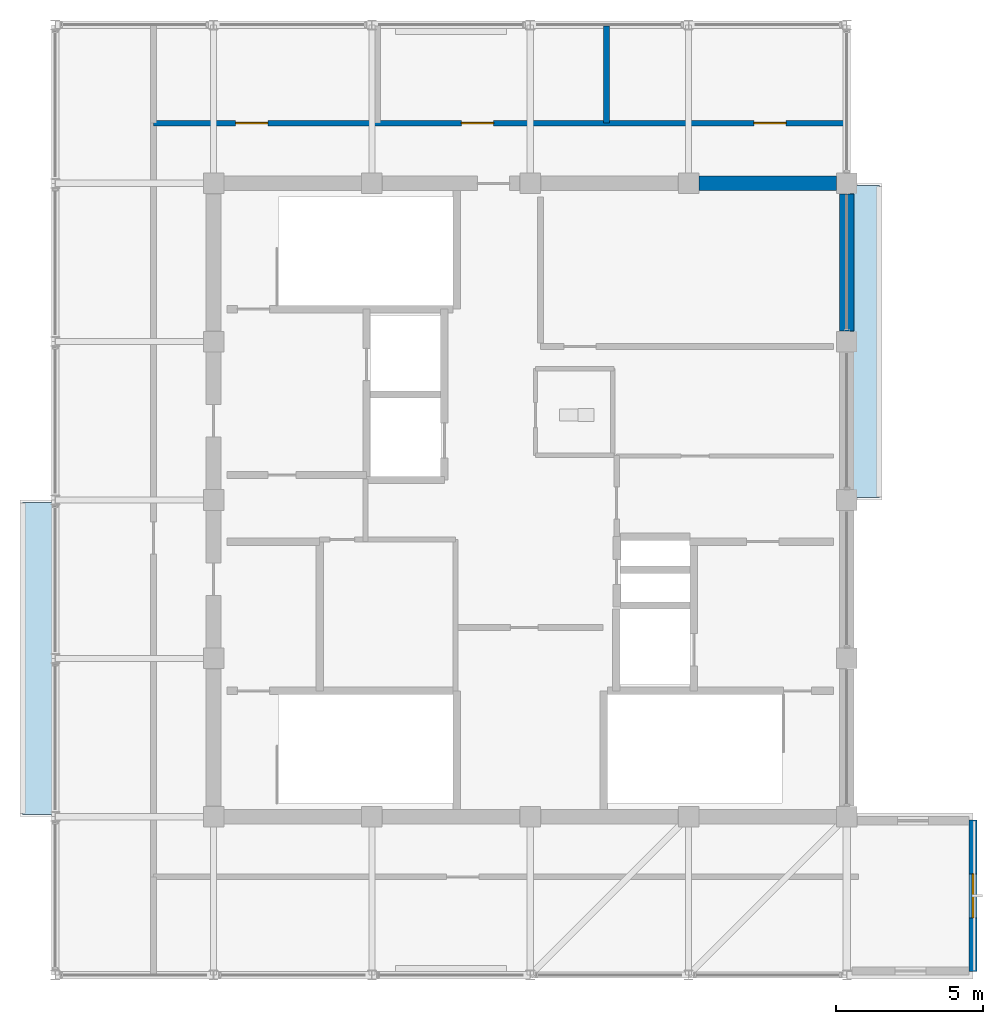
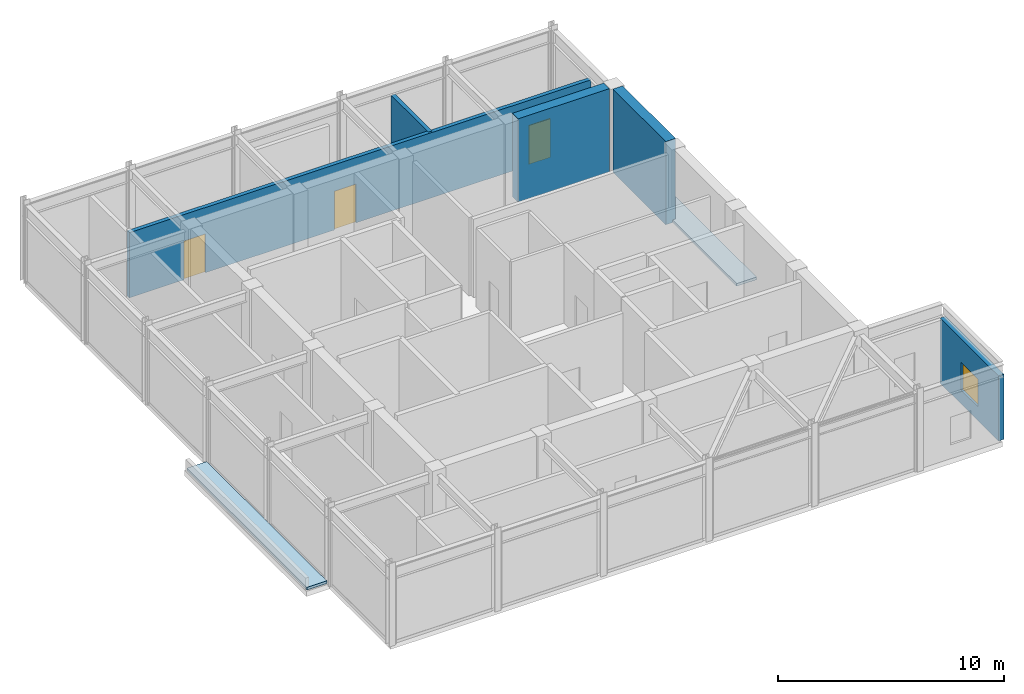
# One storey, part 16 of 18: 5 walls, 3 doors, 2 roofs, 1 window, 4 openings.
"""IFC4 building model written with IfcOpenShell, lengths in metres."""

from ifc_helpers import new_model, si_unit, direction, frame, frame_2d, origin, place, context, subcontext, project, spatial, polyline, rectangle, outline, extrude, material, layer, layer_set, type_object, element, fill, save


model = new_model("IFC4")

# Units and contexts
model_context = context("Model", 3, precision=1e-05, world=origin(), true_north=direction((0.0, 1.0)))
body_context = subcontext(model_context, "Body", "Model", "MODEL_VIEW")
ifc_project = project(units=[si_unit("LENGTHUNIT", "METRE"), si_unit("AREAUNIT", "SQUARE_METRE"), si_unit("VOLUMEUNIT", "CUBIC_METRE"), si_unit("PLANEANGLEUNIT", "RADIAN"), si_unit("MASSUNIT", "GRAM", prefix="KILO")], contexts=[model_context])

# Site, building, storey
site_placement = place(None, origin())
site = spatial("IfcSite", under=ifc_project, at=site_placement, CompositionType="ELEMENT")
building_placement = place(site_placement, origin())
building = spatial("IfcBuilding", under=site, at=building_placement, Name="Surkhivell Harbour Commons", CompositionType="ELEMENT")
storey_placement = place(building_placement, frame((0.0, 0.0, 360.0)))
storey = spatial("IfcBuildingStorey", under=building, at=storey_placement, Name="L93", CompositionType="ELEMENT", Elevation=360.0)

# Walls
ifc_material_1 = material(Name="Concrete C50/60", Category="concrete")
ifc_layer_1 = layer(ifc_material_1, 0.5)
ifc_layer_set_1 = layer_set([ifc_layer_1], Name="Concrete C50/60")
wall_type_1 = type_object("IfcWallType", Name="WAL-CORE-500", PredefinedType="SHEAR", material=ifc_layer_set_1)
for number, where, z_axis, x_axis, name in (
    (1, (5.760009765625, 10.800048828125, 0.0), (0.0, 0.0, 1.0), (1.0, 0.0, 0.0), "L93 Core Shear Wall North 4"),
    (2, (10.800048828125, 5.760009765625, 0.0), (0.0, 0.0, 1.0), (0.0, 1.0, 0.0), "L93 Core Shear Wall East 4"),
):
    element("IfcWall", number, at=place(storey_placement, frame(where, z_axis=z_axis, x_axis=x_axis)), inside=storey, type_object=wall_type_1, Name=name, PredefinedType="SHEAR", context=body_context, shape_type="SweptSolid", body=[
        extrude(rectangle(XDim=4.679931640625, YDim=0.5, at=frame_2d((2.33984375, 0.0))), origin(), (0.0, 0.0, 1.0), 4.5),
    ])

# Wall, opening, window
ifc_material_2 = material(Name="Terracotta-clad reinforced concrete C45/55", Category="masonry")
ifc_layer_2 = layer(ifc_material_2, 0.280029296875)
ifc_layer_set_2 = layer_set([ifc_layer_2], Name="Terracotta-clad reinforced concrete C45/55")
wall_type_2 = type_object("IfcWallType", Name="WAL-EXT-TER280", PredefinedType="STANDARD", material=ifc_layer_set_2)
wall_1_placement = place(storey_placement, frame((15.10009765625, -16.080078125, 0.0), z_axis=(0.0, 0.0, 1.0), x_axis=(0.0, 1.0, 0.0)))
wall_1 = element("IfcWall", 3, at=wall_1_placement, inside=storey, type_object=wall_type_2, Name="L93 Coloured Box Front Wall 01", PredefinedType="STANDARD", context=body_context, shape_type="SweptSolid", body=[
    extrude(rectangle(XDim=5.16015625, YDim=0.280029296875, at=frame_2d((2.580078125, 0.0))), origin(), (0.0, 0.0, 1.0), 3.527099609375),
])
opening_1_placement = place(wall_1_placement, frame((1.830078125, 0.0, 0.75)))
opening_1 = element("IfcOpeningElement", 4, at=opening_1_placement, cuts=wall_1, Name="Opening WN-13", PredefinedType="OPENING", context=body_context, shape_type="SweptSolid", body=[
    extrude(rectangle(XDim=1.5, YDim=1.5, at=frame_2d((0.75, 0.75))), frame((0.0, 0.14990234375, 0.0), z_axis=(0.0, -1.0, 0.0), x_axis=(1.0, 0.0, 0.0)), (0.0, 0.0, 1.0), 0.300048828125),
])
ifc_material_3 = material(Name="Thermal-break aluminium frame and double low-E glazing", Category="aluminium")
window_type = type_object("IfcWindowType", Name="WIN-BOX-1500x1500", PartitioningType="SINGLE_PANEL", PredefinedType="WINDOW", material=ifc_material_3)
window_placement = place(opening_1_placement, origin())
window = element("IfcWindow", 5, at=window_placement, inside=storey, type_object=window_type, Name="L93 Coloured Box Square Window 01-1", OverallHeight=1.5, OverallWidth=1.5, PartitioningType="SINGLE_PANEL", PredefinedType="WINDOW", context=body_context, shape_type="SweptSolid", body=[
    extrude(rectangle(XDim=1.5, YDim=1.5, at=frame_2d((0.75, 0.75))), frame((0.0, 0.030029296875, 0.0), z_axis=(0.0, -1.0, 0.0), x_axis=(1.0, 0.0, 0.0)), (0.0, 0.0, 1.0), 0.06005859375),
])
fill(opening_1, window)

# Wall
ifc_material_4 = material(Name="Autoclaved aerated concrete blockwork and fire plaster", Category="masonry")
ifc_layer_3 = layer(ifc_material_4, 0.199951171875)
ifc_layer_set_3 = layer_set([ifc_layer_3], Name="Autoclaved aerated concrete blockwork and fire plaster")
wall_type_3 = type_object("IfcWallType", Name="WAL-INT-200", PredefinedType="PARTITIONING", material=ifc_layer_set_3)
wall_2_placement = place(storey_placement, frame((2.60009765625, 12.85009765625, 0.0), z_axis=(0.0, 0.0, 1.0), x_axis=(0.0, 1.0, 0.0)))
element("IfcWall", 6, at=wall_2_placement, inside=storey, type_object=wall_type_3, Name="L93 Cooling Bay Wall 2", PredefinedType="PARTITIONING", context=body_context, shape_type="SweptSolid", body=[
    extrude(rectangle(XDim=3.309814453125, YDim=0.199951171875, at=frame_2d((1.65478515625, 0.0))), origin(), (0.0, 0.0, 1.0), 3.527099609375),
])

# Wall, openings, doors
wall_3_placement = place(storey_placement, frame((-12.85009765625, 12.85009765625, 0.0), z_axis=(0.0, 0.0, 1.0), x_axis=(1.0, 0.0, 0.0)))
wall_3 = element("IfcWall", 7, at=wall_3_placement, inside=storey, type_object=wall_type_3, Name="L93 Crown Corridor North Wall", PredefinedType="PARTITIONING", context=body_context, shape_type="SweptSolid", body=[
    extrude(rectangle(XDim=23.610107421875, YDim=0.199951171875, at=frame_2d((11.80517578125, 0.0))), origin(), (0.0, 0.0, 1.0), 3.527099609375),
])
opening_2_placement = place(wall_3_placement, frame((2.800048828125, 0.0, 0.0)))
opening_2 = element("IfcOpeningElement", 8, at=opening_2_placement, cuts=wall_3, Name="Opening ID-2", PredefinedType="OPENING", context=body_context, shape_type="SweptSolid", body=[
    extrude(rectangle(XDim=1.10009765625, YDim=2.10009765625, at=frame_2d((0.550048828125, 1.050048828125))), frame((0.0, 0.10986328125, 0.0), z_axis=(0.0, -1.0, 0.0), x_axis=(1.0, 0.0, 0.0)), (0.0, 0.0, 1.0), 0.219970703125),
])
opening_3_placement = place(wall_3_placement, frame((10.5, 0.0, 0.0)))
opening_3 = element("IfcOpeningElement", 9, at=opening_3_placement, cuts=wall_3, Name="Opening ID-2", PredefinedType="OPENING", context=body_context, shape_type="SweptSolid", body=[
    extrude(rectangle(XDim=1.10009765625, YDim=2.10009765625, at=frame_2d((0.550048828125, 1.050048828125))), frame((0.0, 0.10986328125, 0.0), z_axis=(0.0, -1.0, 0.0), x_axis=(1.0, 0.0, 0.0)), (0.0, 0.0, 1.0), 0.219970703125),
])
opening_4_placement = place(wall_3_placement, frame((20.4814453125, 0.0, 0.0)))
opening_4 = element("IfcOpeningElement", 10, at=opening_4_placement, cuts=wall_3, Name="Opening ID-2", PredefinedType="OPENING", context=body_context, shape_type="SweptSolid", body=[
    extrude(rectangle(XDim=1.10009765625, YDim=2.10009765625, at=frame_2d((0.550048828125, 1.050048828125))), frame((0.0, 0.10986328125, 0.0), z_axis=(0.0, -1.0, 0.0), x_axis=(1.0, 0.0, 0.0)), (0.0, 0.0, 1.0), 0.219970703125),
])
ifc_material_5 = material(Name="Hardwood-veneered fire-rated door leaf", Category="wood")
door_type = type_object("IfcDoorType", Name="DOR-FD60-1100", OperationType="NOTDEFINED", PredefinedType="DOOR", material=ifc_material_5)
door_1_placement = place(opening_2_placement, origin())
door_1 = element("IfcDoor", 11, at=door_1_placement, inside=storey, type_object=door_type, Name="L93 L93 Primary Cooling Tower Bay 1 Door", OperationType="SINGLE_SWING_RIGHT", OverallHeight=2.10009765625, OverallWidth=1.10009765625, PredefinedType="DOOR", context=body_context, shape_type="SweptSolid", body=[
    extrude(rectangle(XDim=1.10009765625, YDim=2.10009765625, at=frame_2d((0.550048828125, 1.050048828125))), frame((0.0, 0.02490234375, 0.0), z_axis=(0.0, -1.0, 0.0), x_axis=(1.0, 0.0, 0.0)), (0.0, 0.0, 1.0), 0.050048828125),
])
fill(opening_2, door_1)
door_2_placement = place(opening_3_placement, origin())
door_2 = element("IfcDoor", 12, at=door_2_placement, inside=storey, type_object=door_type, Name="L93 L93 Primary Cooling Tower Bay 2 Door", OperationType="SINGLE_SWING_LEFT", OverallHeight=2.10009765625, OverallWidth=1.10009765625, PredefinedType="DOOR", context=body_context, shape_type="SweptSolid", body=[
    extrude(rectangle(XDim=1.10009765625, YDim=2.10009765625, at=frame_2d((0.550048828125, 1.050048828125))), frame((0.0, 0.02490234375, 0.0), z_axis=(0.0, -1.0, 0.0), x_axis=(1.0, 0.0, 0.0)), (0.0, 0.0, 1.0), 0.050048828125),
])
fill(opening_3, door_2)
door_3_placement = place(opening_4_placement, origin())
door_3 = element("IfcDoor", 13, at=door_3_placement, inside=storey, type_object=door_type, Name="L93 L93 Heat Rejection Fan Hall Door", OperationType="SINGLE_SWING_RIGHT", OverallHeight=2.10009765625, OverallWidth=1.10009765625, PredefinedType="DOOR", context=body_context, shape_type="SweptSolid", body=[
    extrude(rectangle(XDim=1.10009765625, YDim=2.10009765625, at=frame_2d((0.550048828125, 1.050048828125))), frame((0.0, 0.02490234375, 0.0), z_axis=(0.0, -1.0, 0.0), x_axis=(1.0, 0.0, 0.0)), (0.0, 0.0, 1.0), 0.050048828125),
])
fill(opening_4, door_3)

# Roofs
ifc_material_6 = material(Name="Vermilion-coral and saffron enamelled aluminium box roof cap", Category="aluminium")
ifc_layer_4 = layer(ifc_material_6, 0.139892578125)
ifc_layer_set_4 = layer_set([ifc_layer_4], Name="Vermilion-coral and saffron enamelled aluminium box roof cap")
roof_type = type_object("IfcRoofType", Name="ROF-BOX-CAP", PredefinedType="FLAT_ROOF", material=ifc_layer_set_4)
roof_1_placement = place(storey_placement, origin())
element("IfcRoof", 14, at=roof_1_placement, inside=storey, type_object=roof_type, Name="L93 Closed Coloured Box Roof Cap 1-1", PredefinedType="FLAT_ROOF", context=body_context, shape_type="SweptSolid", body=[
    extrude(outline(polyline([(10.89990234375, 0.080078125), (11.919921875, 0.080078125), (11.919921875, 10.719970703125), (10.89990234375, 10.719970703125), (10.89990234375, 0.080078125)])), origin(), (0.0, 0.0, 1.0), 0.139892578125),
])
roof_2_placement = place(storey_placement, origin())
element("IfcRoof", 15, at=roof_2_placement, inside=storey, type_object=roof_type, Name="L93 Closed Coloured Box Roof Cap 2-1", PredefinedType="FLAT_ROOF", context=body_context, shape_type="SweptSolid", body=[
    extrude(outline(polyline([(-16.300048828125, -0.080078125), (-17.320068359375, -0.080078125), (-17.320068359375, -10.719970703125), (-16.300048828125, -10.719970703125), (-16.300048828125, -0.080078125)])), origin(), (0.0, 0.0, 1.0), 0.139892578125),
])

save(model, "model.ifc")
